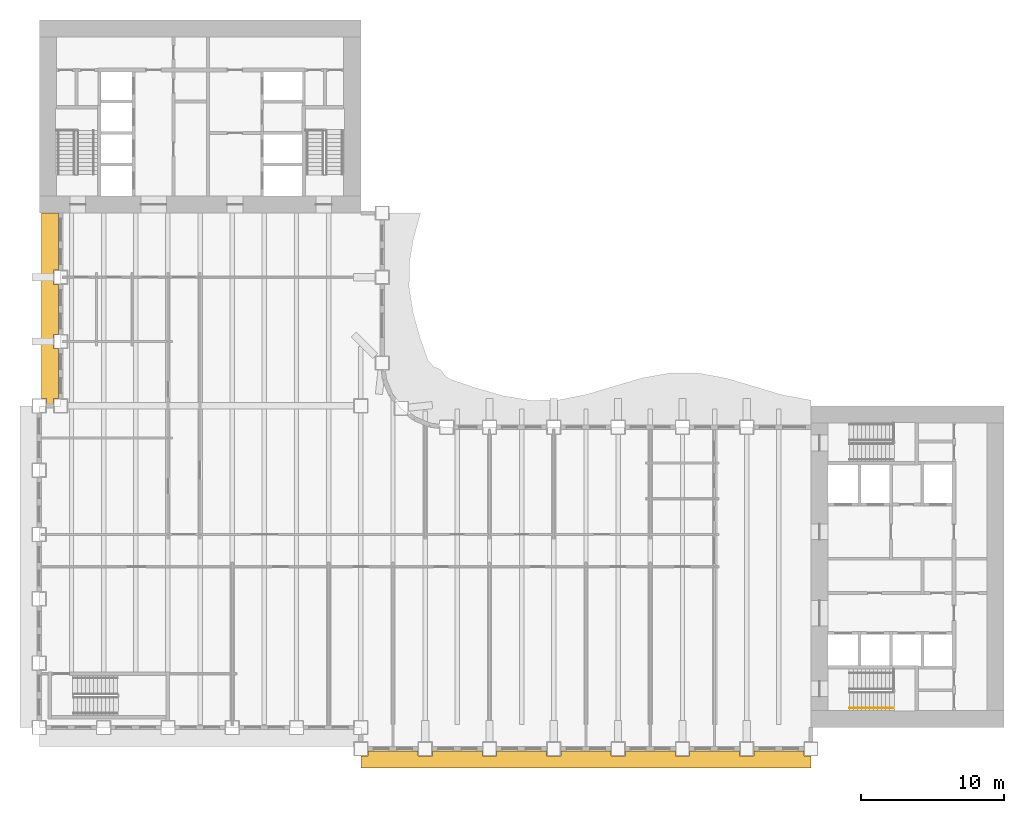
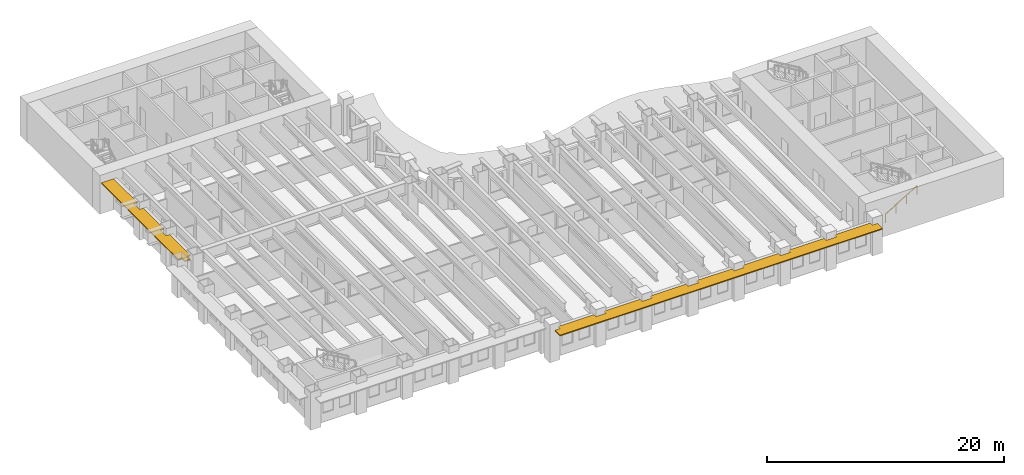
# One storey, part 12 of 16: 2 shading devices, 1 railing.
"""IFC4 building model written with IfcOpenShell, lengths in metres."""

from ifc_helpers import new_model, si_unit, direction, frame, origin, origin_2d, place, context, subcontext, project, spatial, polyline, rectangle, outline, extrude, material, layer, layer_set, type_object, element, save


model = new_model("IFC4")

# Units and contexts
model_context = context("Model", 3, precision=1e-05, world=origin(), true_north=direction((0.0, 1.0)))
body_context = subcontext(model_context, "Body", "Model", "MODEL_VIEW")
ifc_project = project(units=[si_unit("LENGTHUNIT", "METRE"), si_unit("AREAUNIT", "SQUARE_METRE"), si_unit("VOLUMEUNIT", "CUBIC_METRE"), si_unit("PLANEANGLEUNIT", "RADIAN"), si_unit("MASSUNIT", "GRAM", prefix="KILO")], contexts=[model_context])

# Site, building, storey
site_placement = place(None, origin())
site = spatial("IfcSite", under=ifc_project, at=site_placement, CompositionType="ELEMENT")
building_placement = place(site_placement, origin())
building = spatial("IfcBuilding", under=site, at=building_placement, Name="Sennacour Bend Tower", CompositionType="ELEMENT")
storey_placement = place(building_placement, frame((0.0, 0.0, 127.0)))
storey = spatial("IfcBuildingStorey", under=building, at=storey_placement, Name="L29", CompositionType="ELEMENT", Elevation=127.0)

# Railing
ifc_material_1 = material(Name="Stainless steel", Category="steel")
railing_type = type_object("IfcRailingType", Name="RL-HANDRAIL-900", PredefinedType="HANDRAIL", material=ifc_material_1)
railing_placement = place(storey_placement, frame((56.699951171875, 1.35009765625, 0.166748046875)))
element("IfcRailing", 1, at=railing_placement, inside=storey, type_object=railing_type, Name="L29 SA1 stair handrail 1", PredefinedType="HANDRAIL", context=body_context, shape_type="SweptSolid", body=[
    extrude(rectangle(XDim=0.048095703125, YDim=0.048095703125, at=origin_2d()), frame((0.0, 0.0, 0.8759765625), z_axis=(0.859308565015, 0.0, 0.511457515432), x_axis=(0.0, 1.0, 0.0)), (0.0, 0.0, 1.0), 3.58447265625),
    extrude(rectangle(XDim=0.0419921875, YDim=0.0419921875, at=origin_2d()), origin(), (0.0, 0.0, 1.0), 0.851806640625),
    extrude(rectangle(XDim=0.0419921875, YDim=0.0419921875, at=origin_2d()), frame((1.026611328125, 0.0, 0.611083984375)), (0.0, 0.0, 1.0), 0.851806640625),
    extrude(rectangle(XDim=0.0419921875, YDim=0.0419921875, at=origin_2d()), frame((2.053466796875, 0.0, 1.22216796875)), (0.0, 0.0, 1.0), 0.851806640625),
    extrude(rectangle(XDim=0.0419921875, YDim=0.0419921875, at=origin_2d()), frame((3.080078125, 0.0, 1.833251953125)), (0.0, 0.0, 1.0), 0.851806640625),
])

# Shading devices
ifc_material_2 = material(Name="Bronze anodised aluminium", Category="aluminium")
ifc_layer = layer(ifc_material_2, 0.10009765625, Name="Bronze anodised aluminium", Category="aluminium")
ifc_layer_set = layer_set([ifc_layer], Name="Bronze anodised aluminium")
shading_device_type = type_object("IfcShadingDeviceType", Name="SUNSHADE BAND STRAIGHT", PredefinedType="USERDEFINED", material=ifc_layer_set)
shading_device_1_placement = place(storey_placement, frame((0.0, 0.0, 2.9541015625)))
element("IfcShadingDevice", 2, at=shading_device_1_placement, inside=storey, type_object=shading_device_type, Name="Sunshade band L29 A outer face", ObjectType="SUNSHADE", PredefinedType="USERDEFINED", context=body_context, shape_type="SweptSolid", body=[
    extrude(outline(polyline([(26.5, -1.64990234375), (26.5, -2.0), (27.5, -2.0), (27.5, -1.64990234375), (31.0, -1.64990234375), (31.0, -2.0), (32.0, -2.0), (32.0, -1.64990234375), (35.5, -1.64990234375), (35.5, -2.0), (36.5, -2.0), (36.5, -1.64990234375), (40.0, -1.64990234375), (40.0, -2.0), (41.0, -2.0), (41.0, -1.64990234375), (44.5, -1.64990234375), (44.5, -2.0), (45.5, -2.0), (45.5, -1.64990234375), (49.0, -1.64990234375), (49.0, -2.0), (50.0, -2.0), (50.0, -1.64990234375), (53.5, -1.64990234375), (53.5, -2.0), (54.0, -2.0), (54.0, -2.85009765625), (22.5, -2.85009765625), (22.5, -2.0), (23.0, -2.0), (23.0, -1.64990234375), (26.5, -1.64990234375)])), origin(), (0.0, 0.0, 1.0), 0.099853515625),
])
shading_device_2_placement = place(storey_placement, frame((0.0, 0.0, 2.9541015625)))
element("IfcShadingDevice", 3, at=shading_device_2_placement, inside=storey, type_object=shading_device_type, Name="Sunshade band L29 B outer face", ObjectType="SUNSHADE", PredefinedType="USERDEFINED", context=body_context, shape_type="SweptSolid", body=[
    extrude(outline(polyline([(1.35009765625, 32.0), (1.0, 32.0), (1.0, 31.0), (1.35009765625, 31.0), (1.35009765625, 27.5), (1.0, 27.5), (1.0, 26.5), (1.35009765625, 26.5), (1.35009765625, 23.0), (1.0, 23.0), (1.0, 22.5), (0.5, 22.5), (0.5, 23.0), (0.14990234375, 23.0), (0.14990234375, 36.0), (1.35009765625, 36.0), (1.35009765625, 32.0)])), origin(), (0.0, 0.0, 1.0), 0.099853515625),
])

save(model, "model.ifc")
